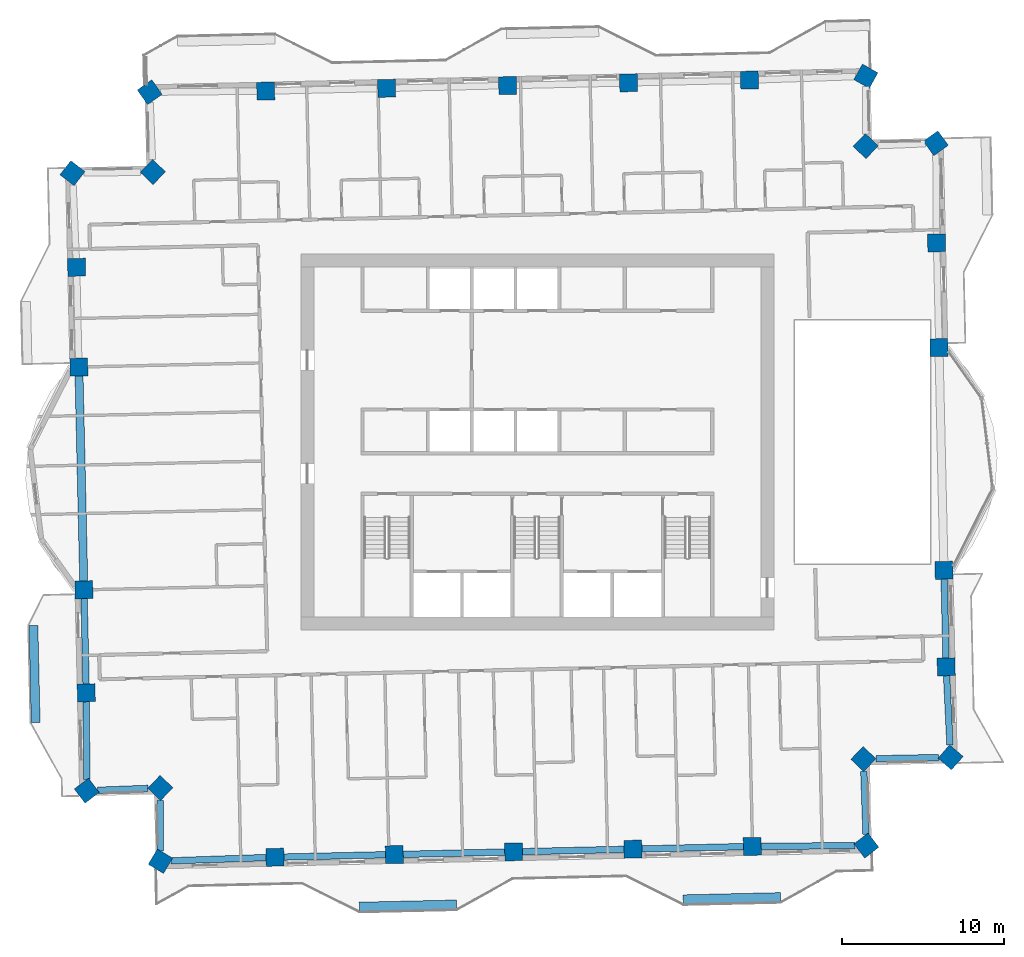
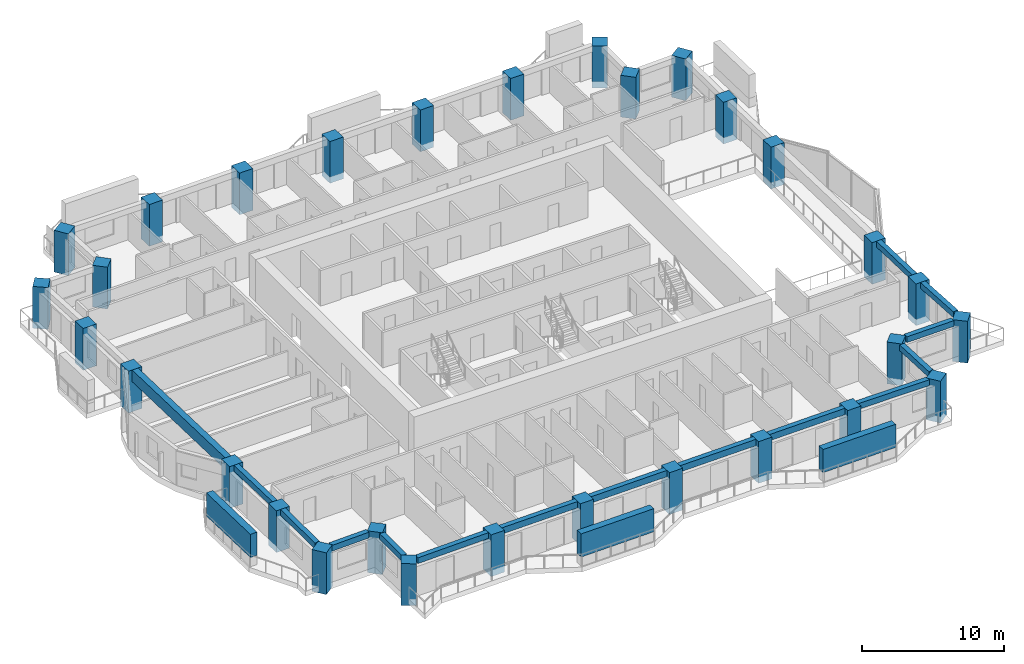
# One storey, part 1 of 17: 30 columns, 15 beams, 3 members.
"""IFC4 building model written with IfcOpenShell, lengths in metres."""

from ifc_helpers import new_model, si_unit, direction, frame, origin, origin_2d, place, context, subcontext, project, spatial, rectangle, extrude, material, material_profile, profile_set, type_object, element, save


model = new_model("IFC4")

# Units and contexts
model_context = context("Model", 3, precision=1e-05, world=origin(), true_north=direction((0.0, 1.0)))
body_context = subcontext(model_context, "Body", "Model", "MODEL_VIEW")
ifc_project = project(units=[si_unit("LENGTHUNIT", "METRE"), si_unit("AREAUNIT", "SQUARE_METRE"), si_unit("VOLUMEUNIT", "CUBIC_METRE"), si_unit("PLANEANGLEUNIT", "RADIAN"), si_unit("MASSUNIT", "GRAM", prefix="KILO")], contexts=[model_context])

# Site, building, storey
site_placement = place(None, origin())
site = spatial("IfcSite", under=ifc_project, at=site_placement, CompositionType="ELEMENT")
building_placement = place(site_placement, origin())
building = spatial("IfcBuilding", under=site, at=building_placement, Name="Mangrove Gate Tower", CompositionType="ELEMENT")
storey_placement = place(building_placement, frame((0.0, 0.0, 234.699951171875)))
storey = spatial("IfcBuildingStorey", under=building, at=storey_placement, Name="L59", CompositionType="ELEMENT", Elevation=234.699951171875)

# Columns
ifc_material_1 = material(Name="Concrete C60/75", Category="concrete")
ifc_material_profile_1 = material_profile(ifc_material_1, rectangle(XDim=1.10009765625, YDim=1.10009765625, at=origin_2d()))
ifc_profile_set_1 = profile_set([ifc_material_profile_1], Name="Concrete C60/75")
column_type = type_object("IfcColumnType", Name="Column RC 1100x1100 C60/75", PredefinedType="COLUMN", material=ifc_profile_set_1)
for number, where, z_axis, x_axis, name in (
    (1, (-27.9912109375, -9.12548828125, -0.550048828125), (0.0, 0.0, 1.0), (0.022671716894, -0.999742963593, 0.0), "Column L59 W05"),
    (2, (-27.84716796875, -15.486572265625, -0.550048828125), (0.0, 0.0, 1.0), (0.02271069751, -0.999742078848, 0.0), "Column L59 W06"),
    (3, (-27.813720703125, -21.52783203125, -0.550048828125), (0.0, 0.0, 1.0), (0.604088172923, -0.796917485901, 0.0), "Column L59 W07"),
    (4, (-23.27392578125, -21.3583984375, -0.550048828125), (0.0, 0.0, 1.0), (0.722988982899, -0.690859559249, 0.0), "Column L59 W08"),
    (5, (-23.2685546875, -25.880859375, -0.550048828125), (0.0, 0.0, 1.0), (0.860102602096, -0.510121077655, 0.0), "Column L59 S01"),
    (6, (-16.195556640625, -25.63720703125, -0.550048828125), (0.0, 0.0, 1.0), (0.999743095343, 0.022665906441, 0.0), "Column L59 S02"),
    (7, (-8.829345703125, -25.47021484375, -0.550048828125), (0.0, 0.0, 1.0), (0.999743095343, 0.022665906441, 0.0), "Column L59 S03"),
    (8, (-1.46337890625, -25.30322265625, -0.550048828125), (0.0, 0.0, 1.0), (0.999743095343, 0.022665906441, 0.0), "Column L59 S04"),
    (9, (5.902587890625, -25.13623046875, -0.550048828125), (0.0, 0.0, 1.0), (0.999743095343, 0.022665906441, 0.0), "Column L59 S05"),
    (10, (13.2685546875, -24.96923828125, -0.550048828125), (0.0, 0.0, 1.0), (0.999741555365, 0.022733729908, 0.0), "Column L59 S06"),
    (11, (20.31201171875, -24.914794921875, -0.550048828125), (0.0, 0.0, 1.0), (0.792957554961, 0.609276879612, 0.0), "Column L59 S07"),
    (12, (20.12744140625, -19.572998046875, -0.550048828125), (0.0, 0.0, 1.0), (0.690952060098, 0.72290058144, 0.0), "Column L59 E01"),
    (13, (25.508056640625, -19.47021484375, -0.550048828125), (0.0, 0.0, 1.0), (0.654234577243, 0.756291688398, 0.0), "Column L59 E02"),
    (14, (25.238037109375, -13.881591796875, -0.550048828125), (0.0, 0.0, 1.0), (-0.022727116819, 0.999741705723, 0.0), "Column L59 E03"),
    (15, (25.10302734375, -7.92138671875, -0.550048828125), (0.0, 0.0, 1.0), (-0.022676462969, 0.999742855952, 0.0), "Column L59 E04"),
    (16, (24.791259765625, 5.825439453125, -0.550048828125), (0.0, 0.0, 1.0), (-0.022707923152, 0.999742141868, 0.0), "Column L59 E05"),
    (17, (24.64404296875, 12.28662109375, -0.550048828125), (0.0, 0.0, 1.0), (-0.022668680801, 0.999743032439, 0.0), "Column L59 E06"),
    (18, (24.6005859375, 18.440185546875, -0.550048828125), (0.0, 0.0, 1.0), (-0.581359179883, 0.813647038934, 0.0), "Column L59 E07"),
    (19, (20.26904296875, 18.262451171875, -0.550048828125), (0.0, 0.0, 1.0), (-0.722994264183, 0.690854032309, 0.0), "Column L59 E08"),
    (20, (20.28076171875, 22.578857421875, -0.550048828125), (0.0, 0.0, 1.0), (-0.872897238591, 0.487904100064, 0.0), "Column L59 N01"),
    (21, (13.095458984375, 22.339111328125, -0.550048828125), (0.0, 0.0, 1.0), (-0.999742388325, -0.022697070002, 0.0), "Column L59 N02"),
    (22, (5.62939453125, 22.170166015625, -0.550048828125), (0.0, 0.0, 1.0), (-0.999743905277, -0.022630153817, 0.0), "Column L59 N03"),
    (23, (-1.83642578125, 22.001220703125, -0.550048828125), (0.0, 0.0, 1.0), (-0.999742388325, -0.022697070002, 0.0), "Column L59 N04"),
    (24, (-9.302490234375, 21.8310546875, -0.550048828125), (0.0, 0.0, 1.0), (-0.999742388325, -0.022697070002, 0.0), "Column L59 N05"),
    (25, (-16.7685546875, 21.662109375, -0.550048828125), (0.0, 0.0, 1.0), (-0.999742388325, -0.022697070002, 0.0), "Column L59 N06"),
    (26, (-23.9306640625, 21.592041015625, -0.550048828125), (0.0, 0.0, 1.0), (-0.818137935301, -0.575022015946, 0.0), "Column L59 N07"),
    (27, (-23.736328125, 16.6640625, -0.550048828125), (0.0, 0.0, 1.0), (-0.690946470748, -0.722905923728, 0.0), "Column L59 W01"),
    (28, (-28.6982421875, 16.59326171875, -0.550048828125), (0.0, 0.0, 1.0), (-0.612246894698, -0.790666642734, 0.0), "Column L59 W02"),
    (29, (-28.443115234375, 10.781494140625, -0.550048828125), (0.0, 0.0, 1.0), (0.022719561495, -0.999741877449, 0.0), "Column L59 W03"),
    (30, (-28.30322265625, 4.62158203125, -0.550048828125), (0.0, 0.0, 1.0), (0.022699722219, -0.999742328108, 0.0), "Column L59 W04"),
):
    element("IfcColumn", number, at=place(storey_placement, frame(where, z_axis=z_axis, x_axis=x_axis)), inside=storey, type_object=column_type, Name=name, PredefinedType="COLUMN", context=body_context, shape_type="SweptSolid", body=[
        extrude(rectangle(XDim=1.10009765625, YDim=1.10009765625, at=origin_2d()), origin(), (0.0, 0.0, 1.0), 3.60009765625),
    ])

# Members
ifc_material_2 = material(Name="Planting on aluminium trellis", Category="aluminium")
ifc_material_profile_2 = material_profile(ifc_material_2, rectangle(XDim=0.550048828125, YDim=2.0, at=origin_2d()))
ifc_profile_set_2 = profile_set([ifc_material_profile_2], Name="Planting on aluminium trellis")
member_type = type_object("IfcMemberType", Name="Balcony greenery screen 550x2000", PredefinedType="USERDEFINED", material=ifc_profile_set_2)
for number, where, z_axis, x_axis, name in (
    (31, (-30.970947265625, -17.321044921875, 1.800048828125), (-0.022662255828, 0.999743178102, 0.0), (-0.999743178102, -0.022662255828, 0.0), "GREEN SCREEN L59 W1.1"),
    (32, (-10.989013671875, -28.68505859375, 1.800048828125), (0.999743178102, 0.022662255828, 0.0), (-0.022662255828, 0.999743178102, 0.0), "GREEN SCREEN L59 S0.1"),
):
    element("IfcMember", number, at=place(storey_placement, frame(where, z_axis=z_axis, x_axis=x_axis)), inside=storey, type_object=member_type, Name=name, ObjectType="PLANTING", PredefinedType="USERDEFINED", context=body_context, shape_type="SweptSolid", body=[
        extrude(rectangle(XDim=0.550048828125, YDim=2.0, at=origin_2d()), origin(), (0.0, 0.0, 1.0), 6.00048828125),
    ])
member_placement = place(storey_placement, frame((9.006103515625, -28.23095703125, 1.800048828125), z_axis=(0.999743157205, 0.022663177671, 0.0), x_axis=(-0.022663177671, 0.999743157205, 0.0)))
element("IfcMember", 33, at=member_placement, inside=storey, type_object=member_type, Name="GREEN SCREEN L59 S1.1", ObjectType="PLANTING", PredefinedType="USERDEFINED", context=body_context, shape_type="SweptSolid", body=[
    extrude(rectangle(XDim=0.550048828125, YDim=2.0, at=origin_2d()), origin(), (0.0, 0.0, 1.0), 6.000244140625),
])

# Beams
ifc_material_3 = material(Name="Concrete C50/60", Category="concrete")
ifc_material_profile_3 = material_profile(ifc_material_3, rectangle(XDim=0.39990234375, YDim=0.5, at=origin_2d()))
ifc_profile_set_3 = profile_set([ifc_material_profile_3], Name="Concrete C50/60")
beam_type_1 = type_object("IfcBeamType", Name="Edge beam RC 400x500 C50/60", PredefinedType="BEAM", material=ifc_profile_set_3)
beam_1_placement = place(storey_placement, frame((-27.978759765625, -9.67529296875, 2.800048828125), z_axis=(0.022638157735, -0.999743724069, 0.0), x_axis=(0.999743724069, 0.022638157735, 0.0)))
element("IfcBeam", 34, at=beam_1_placement, inside=storey, type_object=beam_type_1, Name="Edge beam L59 00", PredefinedType="BEAM", context=body_context, shape_type="SweptSolid", body=[
    extrude(rectangle(XDim=0.39990234375, YDim=0.5, at=origin_2d()), origin(), (0.0, 0.0, 1.0), 5.262939453125),
])
beam_2_placement = place(storey_placement, frame((-27.843994140625, -16.03662109375, 2.800048828125), z_axis=(0.005539377327, -0.999984657532, 0.0), x_axis=(0.999984657532, 0.005539377327, 0.0)))
element("IfcBeam", 35, at=beam_2_placement, inside=storey, type_object=beam_type_1, Name="Edge beam L59 01", PredefinedType="BEAM", context=body_context, shape_type="SweptSolid", body=[
    extrude(rectangle(XDim=0.39990234375, YDim=0.5, at=origin_2d()), origin(), (0.0, 0.0, 1.0), 4.803955078125),
])
beam_3_placement = place(storey_placement, frame((-27.142578125, -21.502685546875, 2.800048828125), z_axis=(0.999304995384, 0.037276349084, 0.0), x_axis=(-0.037276349084, 0.999304995384, 0.0)))
element("IfcBeam", 36, at=beam_3_placement, inside=storey, type_object=beam_type_1, Name="Edge beam L59 02", PredefinedType="BEAM", context=body_context, shape_type="SweptSolid", body=[
    extrude(rectangle(XDim=0.39990234375, YDim=0.5, at=origin_2d()), origin(), (0.0, 0.0, 1.0), 3.1044921875),
])
beam_4_placement = place(storey_placement, frame((-23.273193359375, -22.119873046875, 2.800048828125), z_axis=(0.001251563475, -0.999999216794, 0.0), x_axis=(0.999999216794, 0.001251563475, 0.0)))
element("IfcBeam", 37, at=beam_4_placement, inside=storey, type_object=beam_type_1, Name="Edge beam L59 03", PredefinedType="BEAM", context=body_context, shape_type="SweptSolid", body=[
    extrude(rectangle(XDim=0.39990234375, YDim=0.5, at=origin_2d()), origin(), (0.0, 0.0, 1.0), 3.12109375),
])
beam_5_placement = place(storey_placement, frame((-22.61572265625, -25.8583984375, 2.800048828125), z_axis=(0.999406246135, 0.034455118442, 0.0), x_axis=(-0.034455118442, 0.999406246135, 0.0)))
element("IfcBeam", 38, at=beam_5_placement, inside=storey, type_object=beam_type_1, Name="Edge beam L59 04", PredefinedType="BEAM", context=body_context, shape_type="SweptSolid", body=[
    extrude(rectangle(XDim=0.39990234375, YDim=0.5, at=origin_2d()), origin(), (0.0, 0.0, 1.0), 5.8740234375),
])
beam_6_placement = place(storey_placement, frame((13.818603515625, -24.96484375, 2.800048828125), z_axis=(0.999970370697, 0.007697904166, 0.0), x_axis=(-0.007697904166, 0.999970370697, 0.0)))
element("IfcBeam", 39, at=beam_6_placement, inside=storey, type_object=beam_type_1, Name="Edge beam L59 09", PredefinedType="BEAM", context=body_context, shape_type="SweptSolid", body=[
    extrude(rectangle(XDim=0.39990234375, YDim=0.5, at=origin_2d()), origin(), (0.0, 0.0, 1.0), 5.803955078125),
])
beam_7_placement = place(storey_placement, frame((20.28857421875, -24.2392578125, 2.800048828125), z_axis=(-0.034490302701, 0.999405032517, 0.0), x_axis=(-0.999405032517, -0.034490302701, 0.0)))
element("IfcBeam", 40, at=beam_7_placement, inside=storey, type_object=beam_type_1, Name="Edge beam L59 10", PredefinedType="BEAM", context=body_context, shape_type="SweptSolid", body=[
    extrude(rectangle(XDim=0.39990234375, YDim=0.5, at=origin_2d()), origin(), (0.0, 0.0, 1.0), 3.900390625),
])
beam_8_placement = place(storey_placement, frame((20.90234375, -19.55810546875, 2.800048828125), z_axis=(0.999818208127, 0.019067005485, 0.0), x_axis=(-0.019067005485, 0.999818208127, 0.0)))
element("IfcBeam", 41, at=beam_8_placement, inside=storey, type_object=beam_type_1, Name="Edge beam L59 11", PredefinedType="BEAM", context=body_context, shape_type="SweptSolid", body=[
    extrude(rectangle(XDim=0.39990234375, YDim=0.5, at=origin_2d()), origin(), (0.0, 0.0, 1.0), 3.866943359375),
])
beam_9_placement = place(storey_placement, frame((25.471435546875, -18.711181640625, 2.800048828125), z_axis=(-0.048258123247, 0.998834898039, 0.0), x_axis=(-0.998834898039, -0.048258123247, 0.0)))
element("IfcBeam", 42, at=beam_9_placement, inside=storey, type_object=beam_type_1, Name="Edge beam L59 12", PredefinedType="BEAM", context=body_context, shape_type="SweptSolid", body=[
    extrude(rectangle(XDim=0.39990234375, YDim=0.5, at=origin_2d()), origin(), (0.0, 0.0, 1.0), 4.284912109375),
])
beam_10_placement = place(storey_placement, frame((25.2255859375, -13.33154296875, 2.800048828125), z_axis=(-0.022649535507, 0.999743466366, 0.0), x_axis=(-0.999743466366, -0.022649535507, 0.0)))
element("IfcBeam", 43, at=beam_10_placement, inside=storey, type_object=beam_type_1, Name="Edge beam L59 13", PredefinedType="BEAM", context=body_context, shape_type="SweptSolid", body=[
    extrude(rectangle(XDim=0.39990234375, YDim=0.5, at=origin_2d()), origin(), (0.0, 0.0, 1.0), 4.861328125),
])
ifc_material_4 = material(Name="Concrete C50/60", Category="concrete")
ifc_material_profile_4 = material_profile(ifc_material_4, rectangle(XDim=0.39990234375, YDim=0.550048828125, at=origin_2d()))
ifc_profile_set_4 = profile_set([ifc_material_profile_4], Name="Concrete C50/60")
beam_type_2 = type_object("IfcBeamType", Name="Edge beam RC 400x550 C50/60", PredefinedType="BEAM", material=ifc_profile_set_4)
for number, where, z_axis, x_axis, name in (
    (44, (-15.6455078125, -25.624755859375, 2.775146484375), (0.999743000577, 0.022670085963, 0.0), (-0.022670085963, 0.999743000577, 0.0), "Edge beam L59 05"),
    (45, (-8.279541015625, -25.457763671875, 2.775146484375), (0.999743000577, 0.022670085963, 0.0), (-0.022670085963, 0.999743000577, 0.0), "Edge beam L59 06"),
):
    element("IfcBeam", number, at=place(storey_placement, frame(where, z_axis=z_axis, x_axis=x_axis)), inside=storey, type_object=beam_type_2, Name=name, PredefinedType="BEAM", context=body_context, shape_type="SweptSolid", body=[
        extrude(rectangle(XDim=0.39990234375, YDim=0.550048828125, at=origin_2d()), origin(), (0.0, 0.0, 1.0), 6.267822265625),
    ])
for number, where, z_axis, x_axis, name in (
    (46, (-0.91357421875, -25.290771484375, 2.775146484375), (0.999743020594, 0.022669203179, 0.0), (-0.022669203179, 0.999743020594, 0.0), "Edge beam L59 07"),
    (47, (6.452392578125, -25.123779296875, 2.775146484375), (0.999743020594, 0.022669203179, 0.0), (-0.022669203179, 0.999743020594, 0.0), "Edge beam L59 08"),
):
    element("IfcBeam", number, at=place(storey_placement, frame(where, z_axis=z_axis, x_axis=x_axis)), inside=storey, type_object=beam_type_2, Name=name, PredefinedType="BEAM", context=body_context, shape_type="SweptSolid", body=[
        extrude(rectangle(XDim=0.39990234375, YDim=0.550048828125, at=origin_2d()), origin(), (0.0, 0.0, 1.0), 6.26806640625),
    ])
ifc_material_5 = material(Name="Concrete C50/60", Category="concrete")
ifc_material_profile_5 = material_profile(ifc_material_5, rectangle(XDim=0.5, YDim=1.0, at=origin_2d()))
ifc_profile_set_5 = profile_set([ifc_material_profile_5], Name="Concrete C50/60")
beam_type_3 = type_object("IfcBeamType", Name="Edge beam RC 500x1000 C50/60", PredefinedType="BEAM", material=ifc_profile_set_5)
beam_11_placement = place(storey_placement, frame((-28.290771484375, 4.071533203125, 2.550048828125), z_axis=(0.022695540596, -0.999742423046, 0.0), x_axis=(0.999742423046, 0.022695540596, 0.0)))
element("IfcBeam", 48, at=beam_11_placement, inside=storey, type_object=beam_type_3, Name="Edge beam L59 29", PredefinedType="BEAM", context=body_context, shape_type="SweptSolid", body=[
    extrude(rectangle(XDim=0.5, YDim=1.0, at=origin_2d()), origin(), (0.0, 0.0, 1.0), 12.650390625),
])

save(model, "model.ifc")
